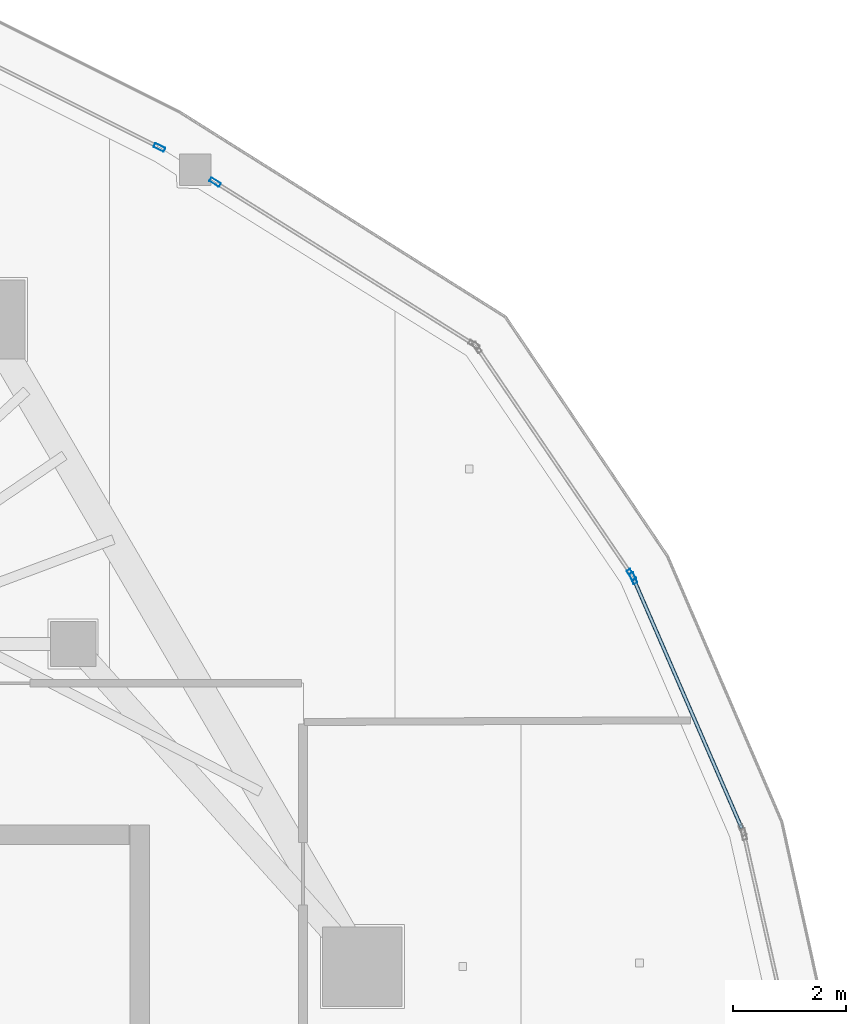
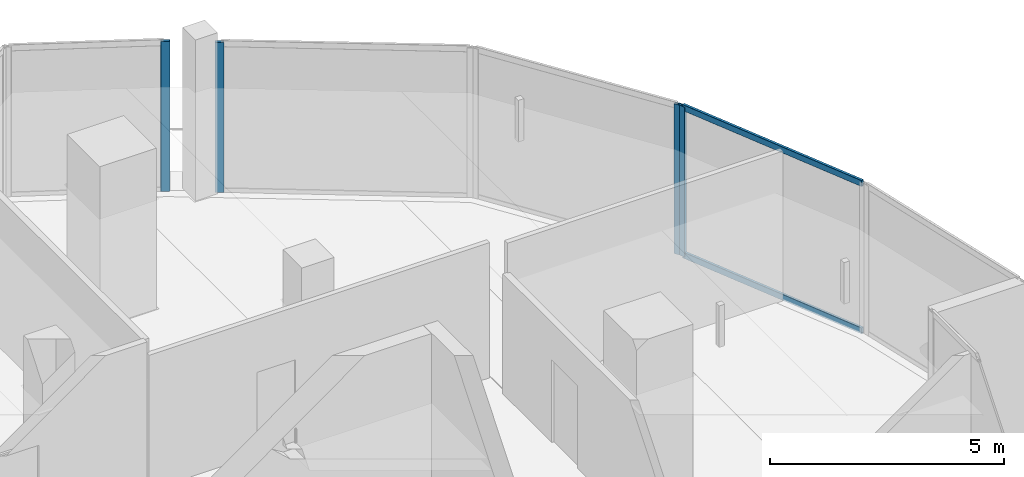
# One storey, part 13 of 23: 6 members, 4 elements without a shape of their own.
"""IFC4 building model written with IfcOpenShell, lengths in metres."""

import ifcopenshell
import ifcopenshell.guid

model = None  # the IFC model being written
_history = None  # IfcOwnerHistory: only IFC2X3 demands one
_inside = {}  # id of a spatial element -> (the spatial element, [elements in it])
_under = {}  # id of a project, library or spatial element -> (it, [spatial elements below it])
_declared = {}  # id of a project -> (the project, [libraries it declares])
_typed = {}  # id of a type object -> (the type object, [elements of that type])
_made_of = {}  # id of a material, layer set ... -> (it, [elements and type objects made of it])


def new_model(schema):
    """Start an empty IFC model of exactly this schema.

    Asked for "IFC4X3", IfcOpenShell would pick the latest addendum, in which some entities
    have other attributes; the version numbers below select the first issue.
    IFC2X3 requires an IfcOwnerHistory on every rooted entity: one is made here for all.
    """
    global model, _history
    if schema == "IFC4X3":
        model = ifcopenshell.file(schema_version=(4, 3, 0, 0))
    else:
        model = ifcopenshell.file(schema=schema)
    _inside.clear()
    _under.clear()
    _declared.clear()
    _typed.clear()
    _made_of.clear()
    _history = None
    if model.schema == "IFC2X3":
        org = make("IfcOrganization", Name="unknown")
        user = make(
            "IfcPersonAndOrganization",
            ThePerson=make("IfcPerson", FamilyName="unknown"),
            TheOrganization=org,
        )
        app = make(
            "IfcApplication",
            ApplicationDeveloper=org,
            Version="unknown",
            ApplicationFullName="unknown",
            ApplicationIdentifier="unknown",
        )
        _history = make(
            "IfcOwnerHistory",
            OwningUser=user,
            OwningApplication=app,
            ChangeAction="ADDED",
            CreationDate=0,
        )
    return model


def make(cls, **values):
    """One entity of the class cls with the attributes given. An attribute that is None is left unset."""
    return model.create_entity(
        cls, **{name: value for name, value in values.items() if value is not None}
    )


def rooted(cls, **values):
    """An entity with a GlobalId (a new one), such as an element, a storey or a relation."""
    return make(cls, GlobalId=ifcopenshell.guid.new(), OwnerHistory=_history, **values)


def si_unit(unit_type, name, prefix=None):
    """IfcSIUnit, for example si_unit("LENGTHUNIT", "METRE", prefix="MILLI")."""
    return make("IfcSIUnit", UnitType=unit_type, Prefix=prefix, Name=name)


def assignment(units):
    """IfcUnitAssignment: the units of a project."""
    return None if units is None else make("IfcUnitAssignment", Units=units)


def point(xyz):
    """IfcCartesianPoint."""
    return None if xyz is None else make("IfcCartesianPoint", Coordinates=xyz)


def direction(xyz):
    """IfcDirection."""
    return None if xyz is None else make("IfcDirection", DirectionRatios=xyz)


def frame(location, z_axis=None, x_axis=None):
    """IfcAxis2Placement3D, a coordinate frame: its origin and axes. An axis left out is left unset."""
    return make(
        "IfcAxis2Placement3D",
        Location=point(location),
        Axis=direction(z_axis),
        RefDirection=direction(x_axis),
    )


def frame_2d(location, x_axis=None):
    """IfcAxis2Placement2D, a coordinate frame in the plane: its origin and x axis."""
    return make(
        "IfcAxis2Placement2D", Location=point(location), RefDirection=direction(x_axis)
    )


def origin():
    """The frame at (0, 0, 0) with its axes left unset."""
    return frame((0.0, 0.0, 0.0))


def origin_2d():
    """The frame at (0, 0) in the plane with its x axis left unset."""
    return frame_2d((0.0, 0.0))


def place(relative_to, where):
    """IfcLocalPlacement: puts the frame where relative to a parent placement (None: the world)."""
    return make(
        "IfcLocalPlacement", PlacementRelTo=relative_to, RelativePlacement=where
    )


def context(
    kind, dimensions, precision=None, world=None, true_north=None, identifier=None
):
    """IfcGeometricRepresentationContext, for example the 3D "Model" context."""
    return make(
        "IfcGeometricRepresentationContext",
        ContextIdentifier=identifier,
        ContextType=kind,
        CoordinateSpaceDimension=dimensions,
        Precision=precision,
        WorldCoordinateSystem=world,
        TrueNorth=true_north,
    )


def subcontext(parent, identifier, kind, view, scale=None):
    """IfcGeometricRepresentationSubContext, for example "Body" below "Model"."""
    return make(
        "IfcGeometricRepresentationSubContext",
        ContextIdentifier=identifier,
        ContextType=kind,
        ParentContext=parent,
        TargetScale=scale,
        TargetView=view,
    )


def project(units=None, contexts=None):
    """IfcProject with its units and contexts."""
    return rooted(
        "IfcProject",
        Name="project",
        RepresentationContexts=contexts,
        UnitsInContext=assignment(units),
    )


def spatial(cls, under=None, at=None, **own):
    """A site, building, storey or space (cls), placed at a placement, below another one or the project."""
    s = rooted(cls, ObjectPlacement=at, **own)
    if under is not None:
        _under.setdefault(under.id(), (under, []))[1].append(s)
    return s


def profile(cls, at=None, kind="AREA", **sizes):
    """A parametric profile (cls). Its sizes go by their IFC names, for example OverallWidth=200.0."""
    return make(cls, ProfileType=kind, Position=at, **sizes)


def hollow_rectangle(**sizes):
    """IfcRectangleHollowProfileDef."""
    return profile("IfcRectangleHollowProfileDef", **sizes)


def extrude(swept, where, along, depth):
    """IfcExtrudedAreaSolid: the profile swept, set in the frame where, extruded along a direction by depth."""
    return make(
        "IfcExtrudedAreaSolid",
        SweptArea=swept,
        Position=where,
        ExtrudedDirection=direction(along),
        Depth=depth,
    )


def shape(context_of_items, identifier, shape_type, items):
    """IfcShapeRepresentation: the items that make up one representation, for example the "Body"."""
    return make(
        "IfcShapeRepresentation",
        ContextOfItems=context_of_items,
        RepresentationIdentifier=identifier,
        RepresentationType=shape_type,
        Items=items,
    )


def material(Name=None, Category=None):
    """IfcMaterial."""
    return make("IfcMaterial", Name=Name, Category=Category)


def layer(
    of_material, thickness, ventilated=None, Name=None, Category=None, Priority=None
):
    """IfcMaterialLayer: one layer of a wall or slab, of a material (None: an air gap)."""
    return make(
        "IfcMaterialLayer",
        Material=of_material,
        LayerThickness=thickness,
        IsVentilated=ventilated,
        Name=Name,
        Category=Category,
        Priority=Priority,
    )


def layer_set(layers, Name=None):
    """IfcMaterialLayerSet."""
    return make("IfcMaterialLayerSet", MaterialLayers=layers, LayerSetName=Name)


def material_profile(
    of_material, cross_section, Name=None, Category=None, Priority=None
):
    """IfcMaterialProfile: a cross section and its material."""
    return make(
        "IfcMaterialProfile",
        Name=Name,
        Material=of_material,
        Profile=cross_section,
        Priority=Priority,
        Category=Category,
    )


def profile_set(profiles, Name=None, composite=None):
    """IfcMaterialProfileSet."""
    return make(
        "IfcMaterialProfileSet",
        Name=Name,
        MaterialProfiles=profiles,
        CompositeProfile=composite,
    )


def made_of(thing, what):
    """Note that an element or type object is made of a material, layer set ...; save() writes the relation."""
    if what is not None:
        _made_of.setdefault(what.id(), (what, []))[1].append(thing)
    return thing


def type_object(cls, material=None, **own):
    """A type object (cls), such as IfcWallType, which elements share."""
    return made_of(rooted(cls, **own), material)


def element(
    cls,
    number,
    at=None,
    inside=None,
    cuts=None,
    type_object=None,
    material=None,
    context=None,
    identifier="Body",
    shape_type=None,
    held_by="IfcProductDefinitionShape",
    body=None,
    shapes=None,
    **own,
):
    """One element of the class cls, such as IfcWall. Its Tag is "e" and its number.

    at: its placement. inside: the storey or other place that contains it. cuts: it is an
    opening in that element (IfcRelVoidsElement). A single representation is given by context,
    identifier, shape_type and body (its items); several are given by shapes. held_by: the class
    of the entity that holds the representations. save() writes the other relations.
    """
    e = rooted(cls, Tag="e%d" % number, ObjectPlacement=at, **own)
    if body is not None:
        shapes = [shape(context, identifier, shape_type, body)]
    if shapes is not None:
        e.Representation = make(held_by, Representations=shapes)
    if inside is not None:
        _inside.setdefault(inside.id(), (inside, []))[1].append(e)
    if cuts is not None:
        rooted(
            "IfcRelVoidsElement", RelatingBuildingElement=cuts, RelatedOpeningElement=e
        )
    if type_object is not None:
        _typed.setdefault(type_object.id(), (type_object, []))[1].append(e)
    return made_of(e, material)


def aggregate(whole, parts):
    """IfcRelAggregates: a whole, such as a stair, and the parts it consists of."""
    return rooted("IfcRelAggregates", RelatingObject=whole, RelatedObjects=parts)


def save(model, path):
    """Write the relations noted so far, then the file.

    IfcRelAggregates (storeys below a building ...), IfcRelContainedInSpatialStructure (elements
    in a storey), IfcRelDefinesByType, IfcRelAssociatesMaterial and IfcRelDeclares: one each for
    every whole, place, type object, material and project.
    """
    for whole, parts in _under.values():
        aggregate(whole, parts)
    for where, things in _inside.values():
        rooted(
            "IfcRelContainedInSpatialStructure",
            RelatedElements=things,
            RelatingStructure=where,
        )
    for kind, things in _typed.values():
        rooted("IfcRelDefinesByType", RelatedObjects=things, RelatingType=kind)
    for what, things in _made_of.values():
        rooted("IfcRelAssociatesMaterial", RelatedObjects=things, RelatingMaterial=what)
    for by, libraries in _declared.values():
        rooted("IfcRelDeclares", RelatingContext=by, RelatedDefinitions=libraries)
    model.write(path)


model = new_model("IFC4")

# Units and contexts
model_context = context("Model", 3, precision=1e-05, world=origin(), true_north=direction((0.0, 1.0)))
body_context = subcontext(model_context, "Body", "Model", "MODEL_VIEW")
ifc_project = project(units=[si_unit("LENGTHUNIT", "METRE"), si_unit("AREAUNIT", "SQUARE_METRE"), si_unit("VOLUMEUNIT", "CUBIC_METRE"), si_unit("PLANEANGLEUNIT", "RADIAN"), si_unit("MASSUNIT", "GRAM", prefix="KILO")], contexts=[model_context])

# Site, building, storey
site_placement = place(None, origin())
site = spatial("IfcSite", under=ifc_project, at=site_placement, CompositionType="ELEMENT")
building_placement = place(site_placement, origin())
building = spatial("IfcBuilding", under=site, at=building_placement, Name="Qorvath Tower", CompositionType="ELEMENT")
storey_placement = place(building_placement, frame((0.0, 0.0, 310.199951171875)))
storey = spatial("IfcBuildingStorey", under=building, at=storey_placement, Name="L72", CompositionType="ELEMENT", Elevation=310.199951171875)

# Curtain wall, member
ifc_material_1 = material(Name="Anodised aluminium and triple low-E glass", Category="aluminium")
ifc_layer = layer(ifc_material_1, 0.179931640625)
ifc_layer_set = layer_set([ifc_layer], Name="CW-SYS-4")
curtain_wall_type = type_object("IfcCurtainWallType", Name="CW-SYS-4", PredefinedType="NOTDEFINED", material=ifc_layer_set)
curtain_wall_1_placement = place(storey_placement, origin())
curtain_wall_1 = element("IfcCurtainWall", 1, at=curtain_wall_1_placement, inside=storey, type_object=curtain_wall_type, Name="Curtain Wall CW-4 CW-T-L72-12.1", PredefinedType="NOTDEFINED")
ifc_material_2 = material(Name="Anodised aluminium 6063-T6", Category="aluminium")
ifc_material_profile_1 = material_profile(ifc_material_2, hollow_rectangle(XDim=0.074951171875, YDim=0.199951171875, WallThickness=0.00390625, InnerFilletRadius=0.00390625, OuterFilletRadius=0.008056640625, at=origin_2d()), Name="CWM 200x75")
ifc_profile_set_1 = profile_set([ifc_material_profile_1], Name="Anodised aluminium 6063-T6")
member_type_1 = type_object("IfcMemberType", Name="CWM-200", PredefinedType="MULLION", material=ifc_profile_set_1)
member_1_placement = place(storey_placement, frame((-7.315185546875, 12.609619140625, 0.0), z_axis=(0.0, 0.0, 1.0), x_axis=(-0.917487130647, -0.397765464938, 0.0)))
member_1 = element("IfcMember", 2, at=member_1_placement, type_object=member_type_1, Name="CW-4 mullion 2", PredefinedType="MULLION", context=body_context, shape_type="SweptSolid", body=[
    extrude(hollow_rectangle(XDim=0.074951171875, YDim=0.199951171875, WallThickness=0.00390625, InnerFilletRadius=0.00390625, OuterFilletRadius=0.008056640625, at=origin_2d()), origin(), (0.0, 0.0, 1.0), 3.91015625),
])

curtain_wall_2_placement = place(storey_placement, origin())
curtain_wall_2 = element("IfcCurtainWall", 3, at=curtain_wall_2_placement, inside=storey, type_object=curtain_wall_type, Name="Curtain Wall CW-4 CW-T-L72-13.1", PredefinedType="NOTDEFINED")
member_2_placement = place(storey_placement, frame((-7.35107421875, 12.675048828125, 0.0), z_axis=(0.0, 0.0, 1.0), x_axis=(-0.827120049002, -0.562025288166, 0.0)))
member_2 = element("IfcMember", 4, at=member_2_placement, type_object=member_type_1, Name="CW-4 mullion 1", PredefinedType="MULLION", context=body_context, shape_type="SweptSolid", body=[
    extrude(hollow_rectangle(XDim=0.074951171875, YDim=0.199951171875, WallThickness=0.00390625, InnerFilletRadius=0.00390625, OuterFilletRadius=0.008056640625, at=origin_2d()), origin(), (0.0, 0.0, 1.0), 3.91015625),
])
aggregate(curtain_wall_2, [member_2])

curtain_wall_3_placement = place(storey_placement, origin())
curtain_wall_3 = element("IfcCurtainWall", 5, at=curtain_wall_3_placement, inside=storey, type_object=curtain_wall_type, Name="Curtain Wall CW-4 CW-T-L72-14.1", PredefinedType="NOTDEFINED")
member_3_placement = place(storey_placement, frame((-14.6943359375, 19.597412109375, 0.0), z_axis=(0.0, 0.0, 1.0), x_axis=(-0.531336655238, -0.847160763256, 0.0)))
member_3 = element("IfcMember", 6, at=member_3_placement, type_object=member_type_1, Name="CW-4 mullion 2", PredefinedType="MULLION", context=body_context, shape_type="SweptSolid", body=[
    extrude(hollow_rectangle(XDim=0.074951171875, YDim=0.199951171875, WallThickness=0.00390625, InnerFilletRadius=0.00390625, OuterFilletRadius=0.008056640625, at=origin_2d()), origin(), (0.0, 0.0, 1.0), 3.91015625),
])
aggregate(curtain_wall_3, [member_3])

curtain_wall_4_placement = place(storey_placement, origin())
curtain_wall_4 = element("IfcCurtainWall", 7, at=curtain_wall_4_placement, inside=storey, type_object=curtain_wall_type, Name="Curtain Wall CW-4 CW-T-L72-15.1", PredefinedType="NOTDEFINED")
member_4_placement = place(storey_placement, frame((-15.677734375, 20.210205078125, 0.0), z_axis=(0.0, 0.0, 1.0), x_axis=(-0.447156015897, -0.894455978485, 0.0)))
member_4 = element("IfcMember", 8, at=member_4_placement, type_object=member_type_1, Name="CW-4 mullion 1", PredefinedType="MULLION", context=body_context, shape_type="SweptSolid", body=[
    extrude(hollow_rectangle(XDim=0.074951171875, YDim=0.199951171875, WallThickness=0.00390625, InnerFilletRadius=0.00390625, OuterFilletRadius=0.008056640625, at=origin_2d()), origin(), (0.0, 0.0, 1.0), 3.91015625),
])
aggregate(curtain_wall_4, [member_4])

# Member
ifc_material_3 = material(Name="Anodised aluminium 6063-T6", Category="aluminium")
ifc_material_profile_2 = material_profile(ifc_material_3, hollow_rectangle(XDim=0.06494140625, YDim=0.159912109375, WallThickness=0.00341796875, InnerFilletRadius=0.00341796875, OuterFilletRadius=0.007080078125, at=origin_2d()), Name="CWT 160x65")
ifc_profile_set_2 = profile_set([ifc_material_profile_2], Name="Anodised aluminium 6063-T6")
member_type_2 = type_object("IfcMemberType", Name="CWT-160", PredefinedType="USERDEFINED", material=ifc_profile_set_2)
member_5_placement = place(storey_placement, frame((-5.4033203125, 8.19970703125, 0.032470703125), z_axis=(-0.397771211249, 0.917484639382, 0.0), x_axis=(-0.917484639382, -0.397771211249, 0.0)))
member_5 = element("IfcMember", 9, at=member_5_placement, type_object=member_type_2, Name="CW-4 transom 1.1", ObjectType="TRANSOM", PredefinedType="USERDEFINED", context=body_context, shape_type="SweptSolid", body=[
    extrude(hollow_rectangle(XDim=0.06494140625, YDim=0.159912109375, WallThickness=0.00341796875, InnerFilletRadius=0.00341796875, OuterFilletRadius=0.007080078125, at=origin_2d()), origin(), (0.0, 0.0, 1.0), 4.76904296875),
])

member_6_placement = place(storey_placement, frame((-5.4033203125, 8.19970703125, 3.877685546875), z_axis=(-0.397771211249, 0.917484639382, 0.0), x_axis=(-0.917484639382, -0.397771211249, 0.0)))
member_6 = element("IfcMember", 10, at=member_6_placement, type_object=member_type_2, Name="CW-4 transom 1.2", ObjectType="TRANSOM", PredefinedType="USERDEFINED", context=body_context, shape_type="SweptSolid", body=[
    extrude(hollow_rectangle(XDim=0.06494140625, YDim=0.159912109375, WallThickness=0.00341796875, InnerFilletRadius=0.00341796875, OuterFilletRadius=0.007080078125, at=origin_2d()), origin(), (0.0, 0.0, 1.0), 4.76904296875),
])

aggregate(curtain_wall_1, [member_1, member_5, member_6])

save(model, "model.ifc")
